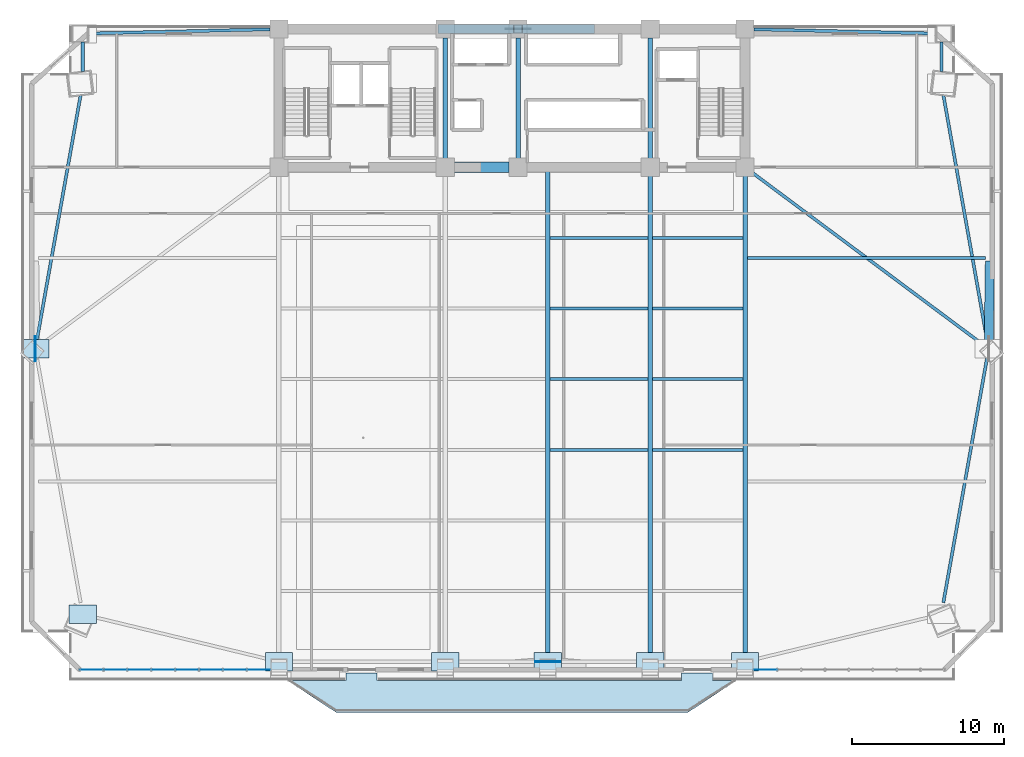
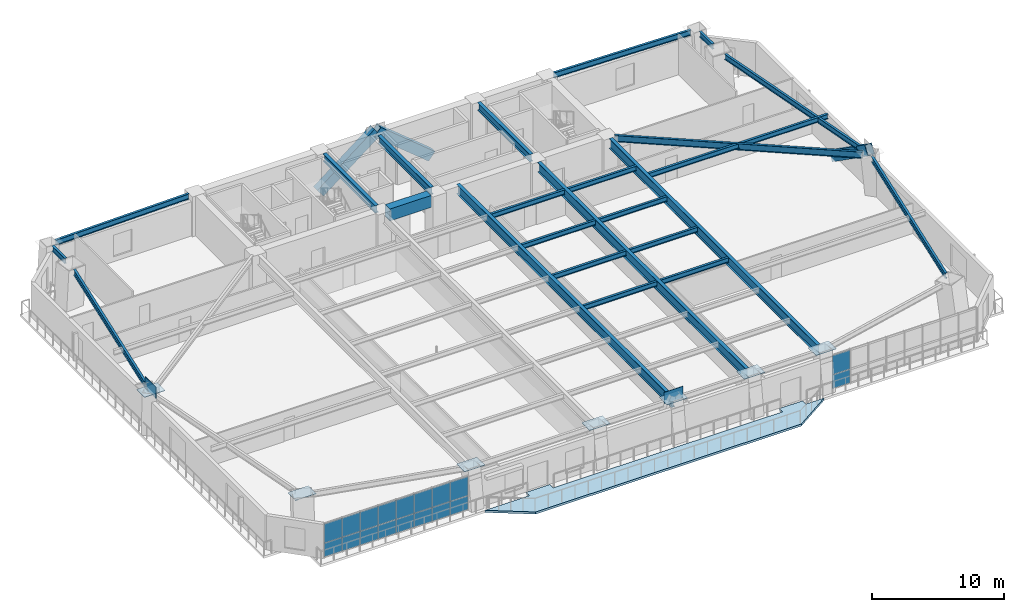
# One storey, part 7 of 17: 27 plates, 24 beams, 3 members, 1 slab, 2 elements without a shape of their own.
"""IFC4 building model written with IfcOpenShell, lengths in metres."""

import ifcopenshell
import ifcopenshell.guid

model = None  # the IFC model being written
_history = None  # IfcOwnerHistory: only IFC2X3 demands one
_inside = {}  # id of a spatial element -> (the spatial element, [elements in it])
_under = {}  # id of a project, library or spatial element -> (it, [spatial elements below it])
_declared = {}  # id of a project -> (the project, [libraries it declares])
_typed = {}  # id of a type object -> (the type object, [elements of that type])
_made_of = {}  # id of a material, layer set ... -> (it, [elements and type objects made of it])


def new_model(schema):
    """Start an empty IFC model of exactly this schema.

    Asked for "IFC4X3", IfcOpenShell would pick the latest addendum, in which some entities
    have other attributes; the version numbers below select the first issue.
    IFC2X3 requires an IfcOwnerHistory on every rooted entity: one is made here for all.
    """
    global model, _history
    if schema == "IFC4X3":
        model = ifcopenshell.file(schema_version=(4, 3, 0, 0))
    else:
        model = ifcopenshell.file(schema=schema)
    _inside.clear()
    _under.clear()
    _declared.clear()
    _typed.clear()
    _made_of.clear()
    _history = None
    if model.schema == "IFC2X3":
        org = make("IfcOrganization", Name="unknown")
        user = make(
            "IfcPersonAndOrganization",
            ThePerson=make("IfcPerson", FamilyName="unknown"),
            TheOrganization=org,
        )
        app = make(
            "IfcApplication",
            ApplicationDeveloper=org,
            Version="unknown",
            ApplicationFullName="unknown",
            ApplicationIdentifier="unknown",
        )
        _history = make(
            "IfcOwnerHistory",
            OwningUser=user,
            OwningApplication=app,
            ChangeAction="ADDED",
            CreationDate=0,
        )
    return model


def make(cls, **values):
    """One entity of the class cls with the attributes given. An attribute that is None is left unset."""
    return model.create_entity(
        cls, **{name: value for name, value in values.items() if value is not None}
    )


def rooted(cls, **values):
    """An entity with a GlobalId (a new one), such as an element, a storey or a relation."""
    return make(cls, GlobalId=ifcopenshell.guid.new(), OwnerHistory=_history, **values)


def si_unit(unit_type, name, prefix=None):
    """IfcSIUnit, for example si_unit("LENGTHUNIT", "METRE", prefix="MILLI")."""
    return make("IfcSIUnit", UnitType=unit_type, Prefix=prefix, Name=name)


def assignment(units):
    """IfcUnitAssignment: the units of a project."""
    return None if units is None else make("IfcUnitAssignment", Units=units)


def point(xyz):
    """IfcCartesianPoint."""
    return None if xyz is None else make("IfcCartesianPoint", Coordinates=xyz)


def direction(xyz):
    """IfcDirection."""
    return None if xyz is None else make("IfcDirection", DirectionRatios=xyz)


def frame(location, z_axis=None, x_axis=None):
    """IfcAxis2Placement3D, a coordinate frame: its origin and axes. An axis left out is left unset."""
    return make(
        "IfcAxis2Placement3D",
        Location=point(location),
        Axis=direction(z_axis),
        RefDirection=direction(x_axis),
    )


def frame_2d(location, x_axis=None):
    """IfcAxis2Placement2D, a coordinate frame in the plane: its origin and x axis."""
    return make(
        "IfcAxis2Placement2D", Location=point(location), RefDirection=direction(x_axis)
    )


def origin():
    """The frame at (0, 0, 0) with its axes left unset."""
    return frame((0.0, 0.0, 0.0))


def origin_2d():
    """The frame at (0, 0) in the plane with its x axis left unset."""
    return frame_2d((0.0, 0.0))


def place(relative_to, where):
    """IfcLocalPlacement: puts the frame where relative to a parent placement (None: the world)."""
    return make(
        "IfcLocalPlacement", PlacementRelTo=relative_to, RelativePlacement=where
    )


def context(
    kind, dimensions, precision=None, world=None, true_north=None, identifier=None
):
    """IfcGeometricRepresentationContext, for example the 3D "Model" context."""
    return make(
        "IfcGeometricRepresentationContext",
        ContextIdentifier=identifier,
        ContextType=kind,
        CoordinateSpaceDimension=dimensions,
        Precision=precision,
        WorldCoordinateSystem=world,
        TrueNorth=true_north,
    )


def subcontext(parent, identifier, kind, view, scale=None):
    """IfcGeometricRepresentationSubContext, for example "Body" below "Model"."""
    return make(
        "IfcGeometricRepresentationSubContext",
        ContextIdentifier=identifier,
        ContextType=kind,
        ParentContext=parent,
        TargetScale=scale,
        TargetView=view,
    )


def project(units=None, contexts=None):
    """IfcProject with its units and contexts."""
    return rooted(
        "IfcProject",
        Name="project",
        RepresentationContexts=contexts,
        UnitsInContext=assignment(units),
    )


def spatial(cls, under=None, at=None, **own):
    """A site, building, storey or space (cls), placed at a placement, below another one or the project."""
    s = rooted(cls, ObjectPlacement=at, **own)
    if under is not None:
        _under.setdefault(under.id(), (under, []))[1].append(s)
    return s


def polyline(points):
    """IfcPolyline through the points."""
    return make("IfcPolyline", Points=[point(p) for p in points])


def profile(cls, at=None, kind="AREA", **sizes):
    """A parametric profile (cls). Its sizes go by their IFC names, for example OverallWidth=200.0."""
    return make(cls, ProfileType=kind, Position=at, **sizes)


def rectangle(**sizes):
    """IfcRectangleProfileDef."""
    return profile("IfcRectangleProfileDef", **sizes)


def hollow_rectangle(**sizes):
    """IfcRectangleHollowProfileDef."""
    return profile("IfcRectangleHollowProfileDef", **sizes)


def i_section(**sizes):
    """IfcIShapeProfileDef."""
    return profile("IfcIShapeProfileDef", **sizes)


def outline(outer, holes=None, kind="AREA"):
    """IfcArbitraryClosedProfileDef: a profile drawn as a closed curve; with holes, ...WithVoids."""
    if holes is None:
        return make("IfcArbitraryClosedProfileDef", ProfileType=kind, OuterCurve=outer)
    return make(
        "IfcArbitraryProfileDefWithVoids",
        ProfileType=kind,
        OuterCurve=outer,
        InnerCurves=holes,
    )


def extrude(swept, where, along, depth):
    """IfcExtrudedAreaSolid: the profile swept, set in the frame where, extruded along a direction by depth."""
    return make(
        "IfcExtrudedAreaSolid",
        SweptArea=swept,
        Position=where,
        ExtrudedDirection=direction(along),
        Depth=depth,
    )


def shape(context_of_items, identifier, shape_type, items):
    """IfcShapeRepresentation: the items that make up one representation, for example the "Body"."""
    return make(
        "IfcShapeRepresentation",
        ContextOfItems=context_of_items,
        RepresentationIdentifier=identifier,
        RepresentationType=shape_type,
        Items=items,
    )


def source(mapping_origin, context_of_items, identifier, shape_type, items):
    """IfcRepresentationMap: a shape defined once, which mapped items show again and again."""
    return make(
        "IfcRepresentationMap",
        MappingOrigin=mapping_origin,
        MappedRepresentation=shape(context_of_items, identifier, shape_type, items),
    )


def transform(
    local_origin,
    x_axis=None,
    y_axis=None,
    z_axis=None,
    scale=None,
    scale2=None,
    scale3=None,
    uniform=True,
):
    """IfcCartesianTransformationOperator3D, or its non-uniform kind. x_axis, y_axis, z_axis: its Axis1, 2, 3."""
    if uniform:
        return make(
            "IfcCartesianTransformationOperator3D",
            Axis1=direction(x_axis),
            Axis2=direction(y_axis),
            LocalOrigin=point(local_origin),
            Scale=scale,
            Axis3=direction(z_axis),
        )
    return make(
        "IfcCartesianTransformationOperator3DnonUniform",
        Axis1=direction(x_axis),
        Axis2=direction(y_axis),
        LocalOrigin=point(local_origin),
        Scale=scale,
        Axis3=direction(z_axis),
        Scale2=scale2,
        Scale3=scale3,
    )


def mapped(mapping_source, mapping_target):
    """IfcMappedItem: shows the shape of a source again, moved by a transform."""
    return make(
        "IfcMappedItem", MappingSource=mapping_source, MappingTarget=mapping_target
    )


def material(Name=None, Category=None):
    """IfcMaterial."""
    return make("IfcMaterial", Name=Name, Category=Category)


def layer(
    of_material, thickness, ventilated=None, Name=None, Category=None, Priority=None
):
    """IfcMaterialLayer: one layer of a wall or slab, of a material (None: an air gap)."""
    return make(
        "IfcMaterialLayer",
        Material=of_material,
        LayerThickness=thickness,
        IsVentilated=ventilated,
        Name=Name,
        Category=Category,
        Priority=Priority,
    )


def layer_set(layers, Name=None):
    """IfcMaterialLayerSet."""
    return make("IfcMaterialLayerSet", MaterialLayers=layers, LayerSetName=Name)


def material_profile(
    of_material, cross_section, Name=None, Category=None, Priority=None
):
    """IfcMaterialProfile: a cross section and its material."""
    return make(
        "IfcMaterialProfile",
        Name=Name,
        Material=of_material,
        Profile=cross_section,
        Priority=Priority,
        Category=Category,
    )


def profile_set(profiles, Name=None, composite=None):
    """IfcMaterialProfileSet."""
    return make(
        "IfcMaterialProfileSet",
        Name=Name,
        MaterialProfiles=profiles,
        CompositeProfile=composite,
    )


def made_of(thing, what):
    """Note that an element or type object is made of a material, layer set ...; save() writes the relation."""
    if what is not None:
        _made_of.setdefault(what.id(), (what, []))[1].append(thing)
    return thing


def type_object(cls, material=None, **own):
    """A type object (cls), such as IfcWallType, which elements share."""
    return made_of(rooted(cls, **own), material)


def element(
    cls,
    number,
    at=None,
    inside=None,
    cuts=None,
    type_object=None,
    material=None,
    context=None,
    identifier="Body",
    shape_type=None,
    held_by="IfcProductDefinitionShape",
    body=None,
    shapes=None,
    **own,
):
    """One element of the class cls, such as IfcWall. Its Tag is "e" and its number.

    at: its placement. inside: the storey or other place that contains it. cuts: it is an
    opening in that element (IfcRelVoidsElement). A single representation is given by context,
    identifier, shape_type and body (its items); several are given by shapes. held_by: the class
    of the entity that holds the representations. save() writes the other relations.
    """
    e = rooted(cls, Tag="e%d" % number, ObjectPlacement=at, **own)
    if body is not None:
        shapes = [shape(context, identifier, shape_type, body)]
    if shapes is not None:
        e.Representation = make(held_by, Representations=shapes)
    if inside is not None:
        _inside.setdefault(inside.id(), (inside, []))[1].append(e)
    if cuts is not None:
        rooted(
            "IfcRelVoidsElement", RelatingBuildingElement=cuts, RelatedOpeningElement=e
        )
    if type_object is not None:
        _typed.setdefault(type_object.id(), (type_object, []))[1].append(e)
    return made_of(e, material)


def aggregate(whole, parts):
    """IfcRelAggregates: a whole, such as a stair, and the parts it consists of."""
    return rooted("IfcRelAggregates", RelatingObject=whole, RelatedObjects=parts)


def save(model, path):
    """Write the relations noted so far, then the file.

    IfcRelAggregates (storeys below a building ...), IfcRelContainedInSpatialStructure (elements
    in a storey), IfcRelDefinesByType, IfcRelAssociatesMaterial and IfcRelDeclares: one each for
    every whole, place, type object, material and project.
    """
    for whole, parts in _under.values():
        aggregate(whole, parts)
    for where, things in _inside.values():
        rooted(
            "IfcRelContainedInSpatialStructure",
            RelatedElements=things,
            RelatingStructure=where,
        )
    for kind, things in _typed.values():
        rooted("IfcRelDefinesByType", RelatedObjects=things, RelatingType=kind)
    for what, things in _made_of.values():
        rooted("IfcRelAssociatesMaterial", RelatedObjects=things, RelatingMaterial=what)
    for by, libraries in _declared.values():
        rooted("IfcRelDeclares", RelatingContext=by, RelatedDefinitions=libraries)
    model.write(path)


model = new_model("IFC4")

# Units and contexts
model_context = context("Model", 3, precision=1e-05, world=origin(), true_north=direction((0.0, 1.0)))
body_context = subcontext(model_context, "Body", "Model", "MODEL_VIEW")
ifc_project = project(units=[si_unit("LENGTHUNIT", "METRE"), si_unit("AREAUNIT", "SQUARE_METRE"), si_unit("VOLUMEUNIT", "CUBIC_METRE"), si_unit("PLANEANGLEUNIT", "RADIAN"), si_unit("MASSUNIT", "GRAM", prefix="KILO")], contexts=[model_context])

# Site, building, storey
site_placement = place(None, origin())
site = spatial("IfcSite", under=ifc_project, at=site_placement, CompositionType="ELEMENT")
building_placement = place(site_placement, origin())
building = spatial("IfcBuilding", under=site, at=building_placement, Name="Giltprow Tower", CompositionType="ELEMENT")
storey_placement = place(building_placement, frame((0.0, 0.0, 57.199951171875)))
storey = spatial("IfcBuildingStorey", under=building, at=storey_placement, Name="L14", CompositionType="ELEMENT", Elevation=57.199951171875)

# Beams
ifc_material_1 = material(Name="Concrete C60", Category="concrete")
ifc_material_profile_1 = material_profile(ifc_material_1, rectangle(XDim=0.699951171875, YDim=1.10009765625, at=origin_2d()), Name="RC 1100x700")
ifc_profile_set_1 = profile_set([ifc_material_profile_1], Name="Concrete C60")
beam_type_1 = type_object("IfcBeamType", Name="BM-CPL-RC1100", PredefinedType="LINTEL", material=ifc_profile_set_1)
shared_shape_1 = source(origin(), body_context, "Body", "SweptSolid", [
    extrude(rectangle(XDim=0.699951171875, YDim=1.10009765625, at=origin_2d()), origin(), (0.0, 0.0, 1.0), 3.6298828125),
])
beam_1_placement = place(storey_placement, frame((31.385009765625, 37.449951171875, 3.130126953125), z_axis=(1.0, 0.0, 0.0), x_axis=(0.0, 1.0, 0.0)))
element("IfcBeam", 1, at=beam_1_placement, inside=storey, type_object=beam_type_1, Name="L14 Core Coupling Beam CB-1", PredefinedType="LINTEL", context=body_context, shape_type="MappedRepresentation", body=[
    mapped(shared_shape_1, transform((0.0, 0.0, 0.0), x_axis=(1.0, 0.0, 0.0), y_axis=(0.0, 1.0, 0.0), z_axis=(0.0, 0.0, 1.0), scale=1.0)),
])
ifc_material_2 = material(Name="Structural steel Q355B", Category="steel")
ifc_material_profile_2 = material_profile(ifc_material_2, i_section(OverallWidth=0.300048828125, OverallDepth=0.699951171875, WebThickness=0.012939453125, FlangeThickness=0.02392578125, at=origin_2d()), Name="HN 700x300x13x24")
ifc_profile_set_2 = profile_set([ifc_material_profile_2], Name="Structural steel Q355B")
beam_type_2 = type_object("IfcBeamType", Name="BM-GIRD-HN700", PredefinedType="BEAM", material=ifc_profile_set_2)
shared_shape_2 = source(origin(), body_context, "Body", "SweptSolid", [
    extrude(i_section(OverallWidth=0.300048828125, OverallDepth=0.699951171875, WebThickness=0.012939453125, FlangeThickness=0.02392578125, at=origin_2d()), origin(), (0.0, 0.0, 1.0), 7.93017578125),
])
for number, where, z_axis, x_axis, name in (
    (2, (30.800048828125, 38.034912109375, 3.330078125), (0.0, 1.0, 0.0), (-1.0, 0.0, 0.0), "L14 Core Tie Girder M1"),
    (3, (35.60009765625, 38.034912109375, 3.330078125), (0.0, 1.0, 0.0), (-1.0, 0.0, 0.0), "L14 Core Tie Girder M2"),
    (4, (44.300048828125, 38.034912109375, 3.330078125), (0.0, 1.0, 0.0), (-1.0, 0.0, 0.0), "L14 Core Tie Girder M3"),
):
    element("IfcBeam", number, at=place(storey_placement, frame(where, z_axis=z_axis, x_axis=x_axis)), inside=storey, type_object=beam_type_2, Name=name, PredefinedType="BEAM", context=body_context, shape_type="MappedRepresentation", body=[
        mapped(shared_shape_2, transform((0.0, 0.0, 0.0), x_axis=(1.0, 0.0, 0.0), y_axis=(0.0, 1.0, 0.0), z_axis=(0.0, 0.0, 1.0), scale=1.0)),
    ])
ifc_material_profile_3 = material_profile(ifc_material_2, i_section(OverallWidth=0.199951171875, OverallDepth=0.449951171875, WebThickness=0.009033203125, FlangeThickness=0.013916015625, at=origin_2d()), Name="HN 450x200x9x14")
ifc_profile_set_3 = profile_set([ifc_material_profile_3], Name="Structural steel Q355B")
beam_type_3 = type_object("IfcBeamType", Name="BM-JOIST-HN450", PredefinedType="JOIST", material=ifc_profile_set_3)
shared_shape_3 = source(origin(), body_context, "Body", "SweptSolid", [
    extrude(i_section(OverallWidth=0.199951171875, OverallDepth=0.449951171875, WebThickness=0.009033203125, FlangeThickness=0.013916015625, at=origin_2d()), origin(), (0.0, 0.0, 1.0), 6.4599609375),
])
for number, where, z_axis, x_axis, name in (
    (5, (37.695068359375, 18.840087890625, 3.455078125), (1.0, 0.0, 0.0), (0.0, 1.0, 0.0), "L14 Composite Floor Joist 3-3"),
    (6, (37.695068359375, 23.491943359375, 3.455078125), (1.0, 0.0, 0.0), (0.0, 1.0, 0.0), "L14 Composite Floor Joist 4-3"),
    (7, (37.695068359375, 28.14501953125, 3.455078125), (1.0, 0.0, 0.0), (0.0, 1.0, 0.0), "L14 Composite Floor Joist 5-3"),
    (8, (37.695068359375, 32.797119140625, 3.455078125), (1.0, 0.0, 0.0), (0.0, 1.0, 0.0), "L14 Composite Floor Joist 6-3"),
):
    element("IfcBeam", number, at=place(storey_placement, frame(where, z_axis=z_axis, x_axis=x_axis)), inside=storey, type_object=beam_type_3, Name=name, PredefinedType="JOIST", context=body_context, shape_type="MappedRepresentation", body=[
        mapped(shared_shape_3, transform((0.0, 0.0, 0.0), x_axis=(1.0, 0.0, 0.0), y_axis=(0.0, 1.0, 0.0), z_axis=(0.0, 0.0, 1.0), scale=1.0)),
    ])
shared_shape_4 = source(origin(), body_context, "Body", "SweptSolid", [
    extrude(i_section(OverallWidth=0.199951171875, OverallDepth=0.449951171875, WebThickness=0.009033203125, FlangeThickness=0.013916015625, at=origin_2d()), origin(), (0.0, 0.0, 1.0), 5.9599609375),
])
for number, where, z_axis, x_axis, name in (
    (9, (44.445068359375, 18.840087890625, 3.455078125), (1.0, 0.0, 0.0), (0.0, 1.0, 0.0), "L14 Composite Floor Joist 3-4"),
    (10, (44.445068359375, 23.491943359375, 3.455078125), (1.0, 0.0, 0.0), (0.0, 1.0, 0.0), "L14 Composite Floor Joist 4-4"),
    (11, (44.445068359375, 28.14501953125, 3.455078125), (1.0, 0.0, 0.0), (0.0, 1.0, 0.0), "L14 Composite Floor Joist 5-4"),
    (12, (44.445068359375, 32.797119140625, 3.455078125), (1.0, 0.0, 0.0), (0.0, 1.0, 0.0), "L14 Composite Floor Joist 6-4"),
):
    element("IfcBeam", number, at=place(storey_placement, frame(where, z_axis=z_axis, x_axis=x_axis)), inside=storey, type_object=beam_type_3, Name=name, PredefinedType="JOIST", context=body_context, shape_type="MappedRepresentation", body=[
        mapped(shared_shape_4, transform((0.0, 0.0, 0.0), x_axis=(1.0, 0.0, 0.0), y_axis=(0.0, 1.0, 0.0), z_axis=(0.0, 0.0, 1.0), scale=1.0)),
    ])
ifc_material_profile_4 = material_profile(ifc_material_2, i_section(OverallWidth=0.199951171875, OverallDepth=0.5, WebThickness=0.010009765625, FlangeThickness=0.01611328125, at=origin_2d()), Name="HN 500x200x10x16")
ifc_profile_set_4 = profile_set([ifc_material_profile_4], Name="Structural steel Q355B")
beam_type_4 = type_object("IfcBeamType", Name="BM-SPAN-HN500", PredefinedType="SPANDREL", material=ifc_profile_set_4)
shared_shape_5 = source(origin(), body_context, "Body", "SweptSolid", [
    extrude(i_section(OverallWidth=0.199951171875, OverallDepth=0.5, WebThickness=0.010009765625, FlangeThickness=0.01611328125, at=origin_2d()), origin(), (0.0, 0.0, 1.0), 16.44287109375),
])
for number, where, z_axis, x_axis, name in (
    (13, (63.612060546875, 8.777099609375, 3.429931640625), (0.175752610538, 0.984434365455, 0.0), (-0.984434365455, 0.175752610538, 0.0), "L14 Perimeter Spandrel Beam MC_SE-E_MID"),
    (14, (66.501953125, 26.01806640625, 3.429931640625), (-0.175752610538, 0.984434365455, 0.0), (-0.984434365455, -0.175752610538, 0.0), "L14 Perimeter Spandrel Beam E_MID-MC_NE"),
):
    element("IfcBeam", number, at=place(storey_placement, frame(where, z_axis=z_axis, x_axis=x_axis)), inside=storey, type_object=beam_type_4, Name=name, PredefinedType="SPANDREL", context=body_context, shape_type="MappedRepresentation", body=[
        mapped(shared_shape_5, transform((0.0, 0.0, 0.0), x_axis=(1.0, 0.0, 0.0), y_axis=(0.0, 1.0, 0.0), z_axis=(0.0, 0.0, 1.0), scale=1.0)),
    ])
shared_shape_6 = source(origin(), body_context, "Body", "SweptSolid", [
    extrude(i_section(OverallWidth=0.199951171875, OverallDepth=0.5, WebThickness=0.010009765625, FlangeThickness=0.01611328125, at=origin_2d()), origin(), (0.0, 0.0, 1.0), 1.9521484375),
])
for number, where, z_axis, x_axis, name in (
    (15, (63.47412109375, 43.762939453125, 3.429931640625), (0.0, 1.0, 0.0), (-1.0, 0.0, 0.0), "L14 Perimeter Spandrel Beam MC_NE-N_E"),
    (16, (6.927001953125, 45.715087890625, 3.429931640625), (0.0, -1.0, 0.0), (1.0, 0.0, 0.0), "L14 Perimeter Spandrel Beam N_W-MC_NW"),
):
    element("IfcBeam", number, at=place(storey_placement, frame(where, z_axis=z_axis, x_axis=x_axis)), inside=storey, type_object=beam_type_4, Name=name, PredefinedType="SPANDREL", context=body_context, shape_type="MappedRepresentation", body=[
        mapped(shared_shape_6, transform((0.0, 0.0, 0.0), x_axis=(1.0, 0.0, 0.0), y_axis=(0.0, 1.0, 0.0), z_axis=(0.0, 0.0, 1.0), scale=1.0)),
    ])
shared_shape_7 = source(origin(), body_context, "Body", "SweptSolid", [
    extrude(i_section(OverallWidth=0.199951171875, OverallDepth=0.5, WebThickness=0.010009765625, FlangeThickness=0.01611328125, at=origin_2d()), origin(), (0.0, 0.0, 1.0), 16.443115234375),
])
beam_2_placement = place(storey_placement, frame((6.7890625, 42.205078125, 3.429931640625), z_axis=(-0.175766999583, -0.984431796448, 0.0), x_axis=(0.984431796448, -0.175766999583, 0.0)))
element("IfcBeam", 17, at=beam_2_placement, inside=storey, type_object=beam_type_4, Name="L14 Perimeter Spandrel Beam MC_NW-W_MID", PredefinedType="SPANDREL", context=body_context, shape_type="MappedRepresentation", body=[
    mapped(shared_shape_7, transform((0.0, 0.0, 0.0), x_axis=(1.0, 0.0, 0.0), y_axis=(0.0, 1.0, 0.0), z_axis=(0.0, 0.0, 1.0), scale=1.0)),
])
shared_shape_8 = source(origin(), body_context, "Body", "SweptSolid", [
    extrude(i_section(OverallWidth=0.199951171875, OverallDepth=0.5, WebThickness=0.010009765625, FlangeThickness=0.01611328125, at=origin_2d()), origin(), (0.0, 0.0, 1.0), 11.80615234375),
])
beam_3_placement = place(storey_placement, frame((7.4619140625, 46.261962890625, 3.429931640625), z_axis=(0.999730798675, 0.02320194345, 0.0), x_axis=(-0.02320194345, 0.999730798675, 0.0)))
element("IfcBeam", 18, at=beam_3_placement, inside=storey, type_object=beam_type_4, Name="L14 North Wing Spandrel W", PredefinedType="SPANDREL", context=body_context, shape_type="MappedRepresentation", body=[
    mapped(shared_shape_8, transform((0.0, 0.0, 0.0), x_axis=(1.0, 0.0, 0.0), y_axis=(0.0, 1.0, 0.0), z_axis=(0.0, 0.0, 1.0), scale=1.0)),
])
shared_shape_9 = source(origin(), body_context, "Body", "SweptSolid", [
    extrude(i_section(OverallWidth=0.199951171875, OverallDepth=0.5, WebThickness=0.010009765625, FlangeThickness=0.01611328125, at=origin_2d()), origin(), (0.0, 0.0, 1.0), 11.80712890625),
])
beam_4_placement = place(storey_placement, frame((51.135009765625, 46.535888671875, 3.429931640625), z_axis=(0.999730843199, -0.023200024945, 0.0), x_axis=(0.023200024945, 0.999730843199, 0.0)))
element("IfcBeam", 19, at=beam_4_placement, inside=storey, type_object=beam_type_4, Name="L14 North Wing Spandrel E", PredefinedType="SPANDREL", context=body_context, shape_type="MappedRepresentation", body=[
    mapped(shared_shape_9, transform((0.0, 0.0, 0.0), x_axis=(1.0, 0.0, 0.0), y_axis=(0.0, 1.0, 0.0), z_axis=(0.0, 0.0, 1.0), scale=1.0)),
])
ifc_material_profile_5 = material_profile(ifc_material_2, i_section(OverallWidth=0.300048828125, OverallDepth=0.89990234375, WebThickness=0.01611328125, FlangeThickness=0.028076171875, at=origin_2d()), Name="HN 900x300x16x28")
ifc_profile_set_5 = profile_set([ifc_material_profile_5], Name="Structural steel Q355B")
beam_type_5 = type_object("IfcBeamType", Name="BM-GIRD-HN900", PredefinedType="BEAM", material=ifc_profile_set_5)
shared_shape_10 = source(origin(), body_context, "Body", "SweptSolid", [
    extrude(i_section(OverallWidth=0.300048828125, OverallDepth=0.89990234375, WebThickness=0.01611328125, FlangeThickness=0.028076171875, at=origin_2d()), origin(), (0.0, 0.0, 1.0), 31.447998046875),
])
for number, where, z_axis, x_axis, name in (
    (20, (44.300048828125, 5.4169921875, 3.22998046875), (0.0, 1.0, 0.0), (-1.0, 0.0, 0.0), "L14 Primary Lease Girder S3"),
    (21, (50.550048828125, 5.4169921875, 3.22998046875), (0.0, 1.0, 0.0), (-1.0, 0.0, 0.0), "L14 Primary Lease Girder S4"),
):
    element("IfcBeam", number, at=place(storey_placement, frame(where, z_axis=z_axis, x_axis=x_axis)), inside=storey, type_object=beam_type_5, Name=name, PredefinedType="BEAM", context=body_context, shape_type="MappedRepresentation", body=[
        mapped(shared_shape_10, transform((0.0, 0.0, 0.0), x_axis=(1.0, 0.0, 0.0), y_axis=(0.0, 1.0, 0.0), z_axis=(0.0, 0.0, 1.0), scale=1.0)),
    ])
shared_shape_11 = source(origin(), body_context, "Body", "SweptSolid", [
    extrude(i_section(OverallWidth=0.300048828125, OverallDepth=0.89990234375, WebThickness=0.01611328125, FlangeThickness=0.028076171875, at=origin_2d()), origin(), (0.0, 0.0, 1.0), 32.56787109375),
])
beam_5_placement = place(storey_placement, frame((37.550048828125, 4.882080078125, 3.22998046875), z_axis=(0.0, 1.0, 0.0), x_axis=(-1.0, 0.0, 0.0)))
element("IfcBeam", 22, at=beam_5_placement, inside=storey, type_object=beam_type_5, Name="L14 Central Lease Girder SMID", PredefinedType="BEAM", context=body_context, shape_type="MappedRepresentation", body=[
    mapped(shared_shape_11, transform((0.0, 0.0, 0.0), x_axis=(1.0, 0.0, 0.0), y_axis=(0.0, 1.0, 0.0), z_axis=(0.0, 0.0, 1.0), scale=1.0)),
])
ifc_material_profile_6 = material_profile(ifc_material_2, i_section(OverallWidth=0.199951171875, OverallDepth=0.60009765625, WebThickness=0.010986328125, FlangeThickness=0.01708984375, at=origin_2d()), Name="HN 600x200x11x17")
ifc_profile_set_6 = profile_set([ifc_material_profile_6], Name="Structural steel Q355B")
beam_type_6 = type_object("IfcBeamType", Name="BM-GIRD-HN600", PredefinedType="BEAM", material=ifc_profile_set_6)
shared_shape_12 = source(origin(), body_context, "Body", "SweptSolid", [
    extrude(i_section(OverallWidth=0.199951171875, OverallDepth=0.60009765625, WebThickness=0.010986328125, FlangeThickness=0.01708984375, at=origin_2d()), origin(), (0.0, 0.0, 1.0), 18.891845703125),
])
beam_6_placement = place(storey_placement, frame((66.1669921875, 25.81103515625, 3.380126953125), z_axis=(-0.801823093272, 0.597561483946, 0.0), x_axis=(-0.597561483946, -0.801823093272, 0.0)))
element("IfcBeam", 23, at=beam_6_placement, inside=storey, type_object=beam_type_6, Name="L14 East Wing Primary Girder", PredefinedType="BEAM", context=body_context, shape_type="MappedRepresentation", body=[
    mapped(shared_shape_12, transform((0.0, 0.0, 0.0), x_axis=(1.0, 0.0, 0.0), y_axis=(0.0, 1.0, 0.0), z_axis=(0.0, 0.0, 1.0), scale=1.0)),
])
shared_shape_13 = source(origin(), body_context, "Body", "SweptSolid", [
    extrude(i_section(OverallWidth=0.199951171875, OverallDepth=0.449951171875, WebThickness=0.009033203125, FlangeThickness=0.013916015625, at=origin_2d()), origin(), (0.0, 0.0, 1.0), 15.680908203125),
])
beam_7_placement = place(storey_placement, frame((50.695068359375, 31.470947265625, 3.455078125), z_axis=(1.0, 0.0, 0.0), x_axis=(0.0, 1.0, 0.0)))
element("IfcBeam", 24, at=beam_7_placement, inside=storey, type_object=beam_type_3, Name="L14 East Wing Floor Joist 2", PredefinedType="JOIST", context=body_context, shape_type="MappedRepresentation", body=[
    mapped(shared_shape_13, transform((0.0, 0.0, 0.0), x_axis=(1.0, 0.0, 0.0), y_axis=(0.0, 1.0, 0.0), z_axis=(0.0, 0.0, 1.0), scale=1.0)),
])

# Members
ifc_material_3 = material(Name="Structural steel Q420GJC", Category="steel")
ifc_material_profile_7 = material_profile(ifc_material_3, hollow_rectangle(XDim=0.60009765625, YDim=0.89990234375, WallThickness=0.0400390625, at=origin_2d()), Name="RHS 900x600x40")
ifc_profile_set_7 = profile_set([ifc_material_profile_7], Name="Structural steel Q420GJC")
member_type = type_object("IfcMemberType", Name="MBR-MEGA-RHS900", PredefinedType="BRACE", material=ifc_profile_set_7)
shared_shape_14 = source(origin(), body_context, "Body", "SweptSolid", [
    extrude(hollow_rectangle(XDim=0.60009765625, YDim=0.89990234375, WallThickness=0.0400390625, at=origin_2d()), origin(), (0.0, 0.0, 1.0), 6.33642578125),
])
member_1_placement = place(storey_placement, frame((30.60595703125, 46.550048828125, -0.139892578125), z_axis=(0.788159873868, 0.0, 0.615470562435), x_axis=(0.0, 1.0, 0.0)))
element("IfcMember", 25, at=member_1_placement, inside=storey, type_object=member_type, Name="L14 Chevron Mega-Brace N-L", PredefinedType="BRACE", context=body_context, shape_type="MappedRepresentation", body=[
    mapped(shared_shape_14, transform((0.0, 0.0, 0.0), x_axis=(1.0, 0.0, 0.0), y_axis=(0.0, 1.0, 0.0), z_axis=(0.0, 0.0, 1.0), scale=1.0)),
])
shared_shape_15 = source(origin(), body_context, "Body", "SweptSolid", [
    extrude(hollow_rectangle(XDim=0.60009765625, YDim=0.89990234375, WallThickness=0.0400390625, at=origin_2d()), origin(), (0.0, 0.0, 1.0), 6.13818359375),
])
member_2_placement = place(storey_placement, frame((40.340087890625, 46.550048828125, -0.139892578125), z_axis=(-0.77221948349, 0.0, 0.635355860379), x_axis=(0.0, -1.0, 0.0)))
element("IfcMember", 26, at=member_2_placement, inside=storey, type_object=member_type, Name="L14 Chevron Mega-Brace N-R", PredefinedType="BRACE", context=body_context, shape_type="MappedRepresentation", body=[
    mapped(shared_shape_15, transform((0.0, 0.0, 0.0), x_axis=(1.0, 0.0, 0.0), y_axis=(0.0, 1.0, 0.0), z_axis=(0.0, 0.0, 1.0), scale=1.0)),
])
shared_shape_16 = source(origin(), body_context, "Body", "SweptSolid", [
    extrude(hollow_rectangle(XDim=0.60009765625, YDim=0.89990234375, WallThickness=0.0400390625, at=origin_2d()), origin(), (0.0, 0.0, 1.0), 6.7724609375),
])
member_3_placement = place(storey_placement, frame((66.669921875, 31.027099609375, 0.0), z_axis=(-0.010922955795, -0.817455266032, 0.575888510975), x_axis=(0.999910738493, -0.013360952274, 0.0)))
element("IfcMember", 27, at=member_3_placement, inside=storey, type_object=member_type, Name="L14 Chevron Mega-Brace E-R", PredefinedType="BRACE", context=body_context, shape_type="MappedRepresentation", body=[
    mapped(shared_shape_16, transform((0.0, 0.0, 0.0), x_axis=(1.0, 0.0, 0.0), y_axis=(0.0, 1.0, 0.0), z_axis=(0.0, 0.0, 1.0), scale=1.0)),
])

# Slab
ifc_material_4 = material(Name="Concrete C40", Category="concrete")
ifc_layer_1 = layer(ifc_material_4, 0.199951171875, Name="Concrete C40")
ifc_layer_set_1 = layer_set([ifc_layer_1], Name="Concrete C40")
slab_type = type_object("IfcSlabType", Name="SLB-BALC-BRONZE-200", PredefinedType="FLOOR", material=ifc_layer_set_1)
slab_placement = place(storey_placement, frame((0.0, 0.0, -0.199951171875)))
element("IfcSlab", 28, at=slab_placement, inside=storey, type_object=slab_type, Name="L14 Bronze Prow Waterfront Balcony Slab", PredefinedType="FLOOR", context=body_context, shape_type="SweptSolid", body=[
    extrude(outline(polyline([(50.0, 3.654052734375), (46.800048828125, 1.553955078125), (23.60009765625, 1.553955078125), (20.39990234375, 3.654052734375), (24.280029296875, 3.654052734375), (24.280029296875, 4.154052734375), (26.320068359375, 4.154052734375), (26.320068359375, 3.654052734375), (46.3798828125, 3.654052734375), (46.3798828125, 4.154052734375), (48.419921875, 4.154052734375), (48.419921875, 3.654052734375), (50.0, 3.654052734375)])), origin(), (0.0, 0.0, 1.0), 0.199951171875),
])

# Plates
plate_type_1 = type_object("IfcPlateType", Name="PLT-NODE-CKN1", PredefinedType="USERDEFINED", material=ifc_material_3)
shared_shape_17 = source(origin(), body_context, "Body", "SweptSolid", [
    extrude(rectangle(XDim=1.800048828125, YDim=1.199951171875, at=origin_2d()), origin(), (0.0, 0.0, 1.0), 0.044921875),
])
for number, where, z_axis, x_axis, name in (
    (29, (6.927001953125, 8.00390625, 3.6376953125), (0.0, 0.0, 1.0), (1.0, 0.0, 0.0), "CKN1 Column Taper Splice Node L14-MC_SW"),
    (30, (19.85009765625, 4.882080078125, 3.6376953125), (0.0, 0.0, 1.0), (1.0, 0.0, 0.0), "CKN1 Column Taper Splice Node L14-S1"),
    (31, (30.800048828125, 4.882080078125, 3.6376953125), (0.0, 0.0, 1.0), (1.0, 0.0, 0.0), "CKN1 Column Taper Splice Node L14-S2"),
    (32, (37.550048828125, 4.882080078125, 3.6376953125), (0.0, 0.0, 1.0), (1.0, 0.0, 0.0), "CKN1 Column Taper Splice Node L14-S_MID"),
    (33, (44.300048828125, 4.882080078125, 3.6376953125), (0.0, 0.0, 1.0), (1.0, 0.0, 0.0), "CKN1 Column Taper Splice Node L14-S3"),
    (34, (50.550048828125, 4.882080078125, 3.6376953125), (0.0, 0.0, 1.0), (1.0, 0.0, 0.0), "CKN1 Column Taper Splice Node L14-S4"),
    (35, (3.804931640625, 25.490966796875, 3.6376953125), (0.0, 0.0, 1.0), (1.0, 0.0, 0.0), "CKN1 Column Taper Splice Node L14-W_MID"),
):
    element("IfcPlate", number, at=place(storey_placement, frame(where, z_axis=z_axis, x_axis=x_axis)), inside=storey, type_object=plate_type_1, Name=name, ObjectType="SPLICE", PredefinedType="USERDEFINED", context=body_context, shape_type="MappedRepresentation", body=[
        mapped(shared_shape_17, transform((0.0, 0.0, 0.0), x_axis=(1.0, 0.0, 0.0), y_axis=(0.0, 1.0, 0.0), z_axis=(0.0, 0.0, 1.0), scale=1.0)),
    ])
plate_type_2 = type_object("IfcPlateType", Name="PLT-NODE-MBN2", PredefinedType="USERDEFINED", material=ifc_material_3)
shared_shape_18 = source(origin(), body_context, "Body", "SweptSolid", [
    extrude(rectangle(XDim=1.64990234375, YDim=0.044921875, at=origin_2d()), origin(), (0.0, 0.0, 1.0), 1.050048828125),
])
for number, where, z_axis, x_axis, name in (
    (36, (37.550048828125, 4.882080078125, 3.375), (0.0, 0.0, 1.0), (1.0, 0.0, 0.0), "Mega-Brace Node L14-S-LB"),
    (37, (3.804931640625, 25.490966796875, 3.375), (0.0, 0.0, 1.0), (0.0, 1.0, 0.0), "Mega-Brace Node L14-W-RB"),
):
    element("IfcPlate", number, at=place(storey_placement, frame(where, z_axis=z_axis, x_axis=x_axis)), inside=storey, type_object=plate_type_2, Name=name, ObjectType="GUSSET", PredefinedType="USERDEFINED", context=body_context, shape_type="MappedRepresentation", body=[
        mapped(shared_shape_18, transform((0.0, 0.0, 0.0), x_axis=(1.0, 0.0, 0.0), y_axis=(0.0, 1.0, 0.0), z_axis=(0.0, 0.0, 1.0), scale=1.0)),
    ])

# Curtain wall, plates
ifc_material_5 = material(Name="Anodized bronze", Category="metal")
ifc_layer_2 = layer(ifc_material_5, 0.179931640625, Name="Anodized bronze")
ifc_layer_set_2 = layer_set([ifc_layer_2], Name="Anodized bronze")
curtain_wall_type = type_object("IfcCurtainWallType", Name="CW-OFF-RECESSED", PredefinedType="NOTDEFINED", material=ifc_layer_set_2)
curtain_wall_1_placement = place(storey_placement, origin())
curtain_wall_1 = element("IfcCurtainWall", 38, at=curtain_wall_1_placement, inside=storey, type_object=curtain_wall_type, Name="L14 South Recessed Curtain Wall 1", PredefinedType="NOTDEFINED")
ifc_material_6 = material(Name="Insulated glass", Category="glass")
plate_type_3 = type_object("IfcPlateType", Name="CW-PANEL-IGU-28", PredefinedType="CURTAIN_PANEL", material=ifc_material_6)
shared_shape_19 = source(origin(), body_context, "Body", "SweptSolid", [
    extrude(rectangle(XDim=1.54296875, YDim=0.028076171875, at=origin_2d()), origin(), (0.0, 0.0, 1.0), 1.259033203125),
])
plate_1_placement = place(storey_placement, frame((7.50390625, 4.35400390625, 0.0537109375), z_axis=(0.0, 0.0, 1.0), x_axis=(1.0, 0.0, 0.0)))
plate_1 = element("IfcPlate", 39, at=plate_1_placement, type_object=plate_type_3, Name="L14 South Recessed Curtain Wall 1 Glazing Panel 1-1", PredefinedType="CURTAIN_PANEL", context=body_context, shape_type="MappedRepresentation", body=[
    mapped(shared_shape_19, transform((0.0, 0.0, 0.0), x_axis=(1.0, 0.0, 0.0), y_axis=(0.0, 1.0, 0.0), z_axis=(0.0, 0.0, 1.0), scale=1.0)),
])
plate_2_placement = place(storey_placement, frame((9.076904296875, 4.35400390625, 0.0537109375), z_axis=(0.0, 0.0, 1.0), x_axis=(1.0, 0.0, 0.0)))
plate_2 = element("IfcPlate", 40, at=plate_2_placement, type_object=plate_type_3, Name="L14 South Recessed Curtain Wall 1 Glazing Panel 2-1", PredefinedType="CURTAIN_PANEL", context=body_context, shape_type="MappedRepresentation", body=[
    mapped(shared_shape_19, transform((0.0, 0.0, 0.0), x_axis=(1.0, 0.0, 0.0), y_axis=(0.0, 1.0, 0.0), z_axis=(0.0, 0.0, 1.0), scale=1.0)),
])
plate_3_placement = place(storey_placement, frame((10.64990234375, 4.35400390625, 0.0537109375), z_axis=(0.0, 0.0, 1.0), x_axis=(1.0, 0.0, 0.0)))
plate_3 = element("IfcPlate", 41, at=plate_3_placement, type_object=plate_type_3, Name="L14 South Recessed Curtain Wall 1 Glazing Panel 3-1", PredefinedType="CURTAIN_PANEL", context=body_context, shape_type="MappedRepresentation", body=[
    mapped(shared_shape_19, transform((0.0, 0.0, 0.0), x_axis=(1.0, 0.0, 0.0), y_axis=(0.0, 1.0, 0.0), z_axis=(0.0, 0.0, 1.0), scale=1.0)),
])
plate_4_placement = place(storey_placement, frame((12.222900390625, 4.35400390625, 0.0537109375), z_axis=(0.0, 0.0, 1.0), x_axis=(1.0, 0.0, 0.0)))
plate_4 = element("IfcPlate", 42, at=plate_4_placement, type_object=plate_type_3, Name="L14 South Recessed Curtain Wall 1 Glazing Panel 4-1", PredefinedType="CURTAIN_PANEL", context=body_context, shape_type="MappedRepresentation", body=[
    mapped(shared_shape_19, transform((0.0, 0.0, 0.0), x_axis=(1.0, 0.0, 0.0), y_axis=(0.0, 1.0, 0.0), z_axis=(0.0, 0.0, 1.0), scale=1.0)),
])
plate_5_placement = place(storey_placement, frame((13.794921875, 4.35400390625, 0.0537109375), z_axis=(0.0, 0.0, 1.0), x_axis=(1.0, 0.0, 0.0)))
plate_5 = element("IfcPlate", 43, at=plate_5_placement, type_object=plate_type_3, Name="L14 South Recessed Curtain Wall 1 Glazing Panel 5-1", PredefinedType="CURTAIN_PANEL", context=body_context, shape_type="MappedRepresentation", body=[
    mapped(shared_shape_19, transform((0.0, 0.0, 0.0), x_axis=(1.0, 0.0, 0.0), y_axis=(0.0, 1.0, 0.0), z_axis=(0.0, 0.0, 1.0), scale=1.0)),
])
plate_6_placement = place(storey_placement, frame((15.367919921875, 4.35400390625, 0.0537109375), z_axis=(0.0, 0.0, 1.0), x_axis=(1.0, 0.0, 0.0)))
plate_6 = element("IfcPlate", 44, at=plate_6_placement, type_object=plate_type_3, Name="L14 South Recessed Curtain Wall 1 Glazing Panel 6-1", PredefinedType="CURTAIN_PANEL", context=body_context, shape_type="MappedRepresentation", body=[
    mapped(shared_shape_19, transform((0.0, 0.0, 0.0), x_axis=(1.0, 0.0, 0.0), y_axis=(0.0, 1.0, 0.0), z_axis=(0.0, 0.0, 1.0), scale=1.0)),
])
plate_7_placement = place(storey_placement, frame((16.94091796875, 4.35400390625, 0.0537109375), z_axis=(0.0, 0.0, 1.0), x_axis=(1.0, 0.0, 0.0)))
plate_7 = element("IfcPlate", 45, at=plate_7_placement, type_object=plate_type_3, Name="L14 South Recessed Curtain Wall 1 Glazing Panel 7-1", PredefinedType="CURTAIN_PANEL", context=body_context, shape_type="MappedRepresentation", body=[
    mapped(shared_shape_19, transform((0.0, 0.0, 0.0), x_axis=(1.0, 0.0, 0.0), y_axis=(0.0, 1.0, 0.0), z_axis=(0.0, 0.0, 1.0), scale=1.0)),
])
plate_8_placement = place(storey_placement, frame((18.513916015625, 4.35400390625, 0.0537109375), z_axis=(0.0, 0.0, 1.0), x_axis=(1.0, 0.0, 0.0)))
plate_8 = element("IfcPlate", 46, at=plate_8_placement, type_object=plate_type_3, Name="L14 South Recessed Curtain Wall 1 Glazing Panel 8-1", PredefinedType="CURTAIN_PANEL", context=body_context, shape_type="MappedRepresentation", body=[
    mapped(shared_shape_19, transform((0.0, 0.0, 0.0), x_axis=(1.0, 0.0, 0.0), y_axis=(0.0, 1.0, 0.0), z_axis=(0.0, 0.0, 1.0), scale=1.0)),
])

# Curtain wall, plate
curtain_wall_2_placement = place(storey_placement, origin())
curtain_wall_2 = element("IfcCurtainWall", 47, at=curtain_wall_2_placement, inside=storey, type_object=curtain_wall_type, Name="L14 South Recessed Curtain Wall 6", PredefinedType="NOTDEFINED")
plate_9_placement = place(storey_placement, frame((51.885986328125, 4.35400390625, 0.0537109375), z_axis=(0.0, 0.0, 1.0), x_axis=(1.0, 0.0, 0.0)))
plate_9 = element("IfcPlate", 48, at=plate_9_placement, type_object=plate_type_3, Name="L14 South Recessed Curtain Wall 6 Glazing Panel 1-1", PredefinedType="CURTAIN_PANEL", context=body_context, shape_type="MappedRepresentation", body=[
    mapped(shared_shape_19, transform((0.0, 0.0, 0.0), x_axis=(1.0, 0.0, 0.0), y_axis=(0.0, 1.0, 0.0), z_axis=(0.0, 0.0, 1.0), scale=1.0)),
])

# Plate
shared_shape_20 = source(origin(), body_context, "Body", "SweptSolid", [
    extrude(rectangle(XDim=1.54296875, YDim=0.028076171875, at=origin_2d()), origin(), (0.0, 0.0, 1.0), 1.764892578125),
])
plate_10_placement = place(storey_placement, frame((7.50390625, 4.35400390625, 1.341796875), z_axis=(0.0, 0.0, 1.0), x_axis=(1.0, 0.0, 0.0)))
plate_10 = element("IfcPlate", 49, at=plate_10_placement, type_object=plate_type_3, Name="L14 South Recessed Curtain Wall 1 Glazing Panel 1-2", PredefinedType="CURTAIN_PANEL", context=body_context, shape_type="MappedRepresentation", body=[
    mapped(shared_shape_20, transform((0.0, 0.0, 0.0), x_axis=(1.0, 0.0, 0.0), y_axis=(0.0, 1.0, 0.0), z_axis=(0.0, 0.0, 1.0), scale=1.0)),
])

plate_11_placement = place(storey_placement, frame((9.076904296875, 4.35400390625, 1.341796875), z_axis=(0.0, 0.0, 1.0), x_axis=(1.0, 0.0, 0.0)))
plate_11 = element("IfcPlate", 50, at=plate_11_placement, type_object=plate_type_3, Name="L14 South Recessed Curtain Wall 1 Glazing Panel 2-2", PredefinedType="CURTAIN_PANEL", context=body_context, shape_type="MappedRepresentation", body=[
    mapped(shared_shape_20, transform((0.0, 0.0, 0.0), x_axis=(1.0, 0.0, 0.0), y_axis=(0.0, 1.0, 0.0), z_axis=(0.0, 0.0, 1.0), scale=1.0)),
])

plate_12_placement = place(storey_placement, frame((10.64990234375, 4.35400390625, 1.341796875), z_axis=(0.0, 0.0, 1.0), x_axis=(1.0, 0.0, 0.0)))
plate_12 = element("IfcPlate", 51, at=plate_12_placement, type_object=plate_type_3, Name="L14 South Recessed Curtain Wall 1 Glazing Panel 3-2", PredefinedType="CURTAIN_PANEL", context=body_context, shape_type="MappedRepresentation", body=[
    mapped(shared_shape_20, transform((0.0, 0.0, 0.0), x_axis=(1.0, 0.0, 0.0), y_axis=(0.0, 1.0, 0.0), z_axis=(0.0, 0.0, 1.0), scale=1.0)),
])

plate_13_placement = place(storey_placement, frame((12.222900390625, 4.35400390625, 1.341796875), z_axis=(0.0, 0.0, 1.0), x_axis=(1.0, 0.0, 0.0)))
plate_13 = element("IfcPlate", 52, at=plate_13_placement, type_object=plate_type_3, Name="L14 South Recessed Curtain Wall 1 Glazing Panel 4-2", PredefinedType="CURTAIN_PANEL", context=body_context, shape_type="MappedRepresentation", body=[
    mapped(shared_shape_20, transform((0.0, 0.0, 0.0), x_axis=(1.0, 0.0, 0.0), y_axis=(0.0, 1.0, 0.0), z_axis=(0.0, 0.0, 1.0), scale=1.0)),
])

plate_14_placement = place(storey_placement, frame((13.794921875, 4.35400390625, 1.341796875), z_axis=(0.0, 0.0, 1.0), x_axis=(1.0, 0.0, 0.0)))
plate_14 = element("IfcPlate", 53, at=plate_14_placement, type_object=plate_type_3, Name="L14 South Recessed Curtain Wall 1 Glazing Panel 5-2", PredefinedType="CURTAIN_PANEL", context=body_context, shape_type="MappedRepresentation", body=[
    mapped(shared_shape_20, transform((0.0, 0.0, 0.0), x_axis=(1.0, 0.0, 0.0), y_axis=(0.0, 1.0, 0.0), z_axis=(0.0, 0.0, 1.0), scale=1.0)),
])

plate_15_placement = place(storey_placement, frame((15.367919921875, 4.35400390625, 1.341796875), z_axis=(0.0, 0.0, 1.0), x_axis=(1.0, 0.0, 0.0)))
plate_15 = element("IfcPlate", 54, at=plate_15_placement, type_object=plate_type_3, Name="L14 South Recessed Curtain Wall 1 Glazing Panel 6-2", PredefinedType="CURTAIN_PANEL", context=body_context, shape_type="MappedRepresentation", body=[
    mapped(shared_shape_20, transform((0.0, 0.0, 0.0), x_axis=(1.0, 0.0, 0.0), y_axis=(0.0, 1.0, 0.0), z_axis=(0.0, 0.0, 1.0), scale=1.0)),
])

plate_16_placement = place(storey_placement, frame((16.94091796875, 4.35400390625, 1.341796875), z_axis=(0.0, 0.0, 1.0), x_axis=(1.0, 0.0, 0.0)))
plate_16 = element("IfcPlate", 55, at=plate_16_placement, type_object=plate_type_3, Name="L14 South Recessed Curtain Wall 1 Glazing Panel 7-2", PredefinedType="CURTAIN_PANEL", context=body_context, shape_type="MappedRepresentation", body=[
    mapped(shared_shape_20, transform((0.0, 0.0, 0.0), x_axis=(1.0, 0.0, 0.0), y_axis=(0.0, 1.0, 0.0), z_axis=(0.0, 0.0, 1.0), scale=1.0)),
])

plate_17_placement = place(storey_placement, frame((18.513916015625, 4.35400390625, 1.341796875), z_axis=(0.0, 0.0, 1.0), x_axis=(1.0, 0.0, 0.0)))
plate_17 = element("IfcPlate", 56, at=plate_17_placement, type_object=plate_type_3, Name="L14 South Recessed Curtain Wall 1 Glazing Panel 8-2", PredefinedType="CURTAIN_PANEL", context=body_context, shape_type="MappedRepresentation", body=[
    mapped(shared_shape_20, transform((0.0, 0.0, 0.0), x_axis=(1.0, 0.0, 0.0), y_axis=(0.0, 1.0, 0.0), z_axis=(0.0, 0.0, 1.0), scale=1.0)),
])

aggregate(curtain_wall_1, [plate_1, plate_10, plate_2, plate_11, plate_3, plate_12, plate_4, plate_13, plate_5, plate_14, plate_6, plate_15, plate_7, plate_16, plate_8, plate_17])

plate_18_placement = place(storey_placement, frame((51.885986328125, 4.35400390625, 1.341796875), z_axis=(0.0, 0.0, 1.0), x_axis=(1.0, 0.0, 0.0)))
plate_18 = element("IfcPlate", 57, at=plate_18_placement, type_object=plate_type_3, Name="L14 South Recessed Curtain Wall 6 Glazing Panel 1-2", PredefinedType="CURTAIN_PANEL", context=body_context, shape_type="MappedRepresentation", body=[
    mapped(shared_shape_20, transform((0.0, 0.0, 0.0), x_axis=(1.0, 0.0, 0.0), y_axis=(0.0, 1.0, 0.0), z_axis=(0.0, 0.0, 1.0), scale=1.0)),
])

aggregate(curtain_wall_2, [plate_9, plate_18])

save(model, "model.ifc")
